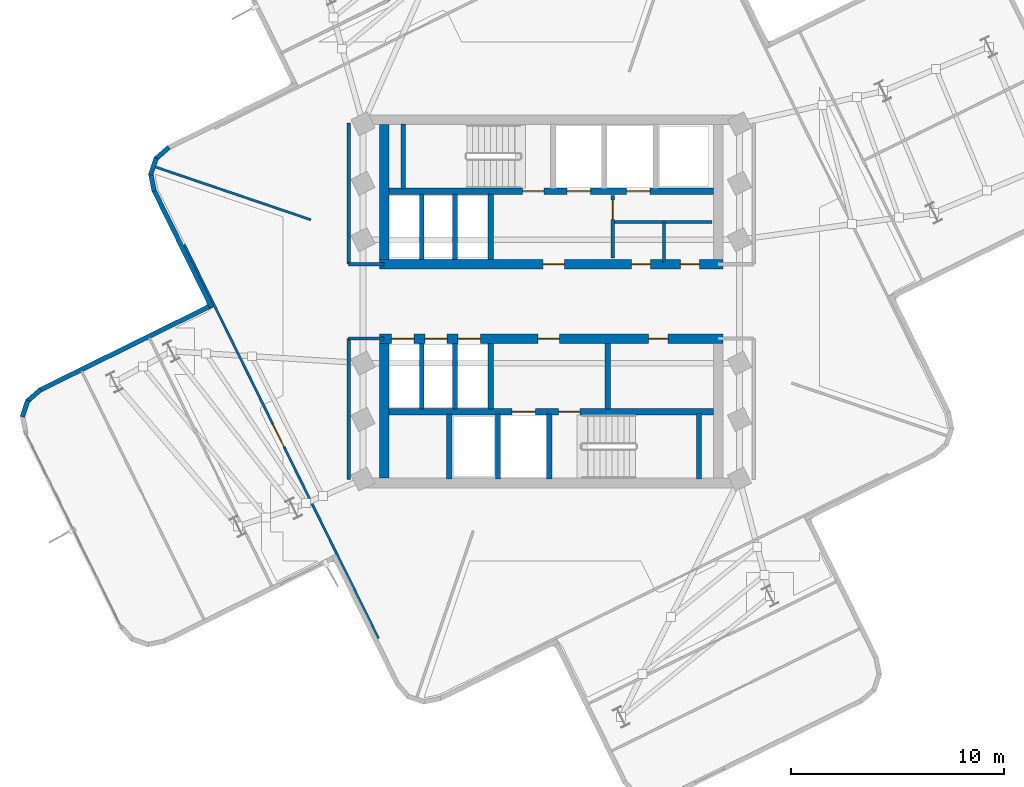
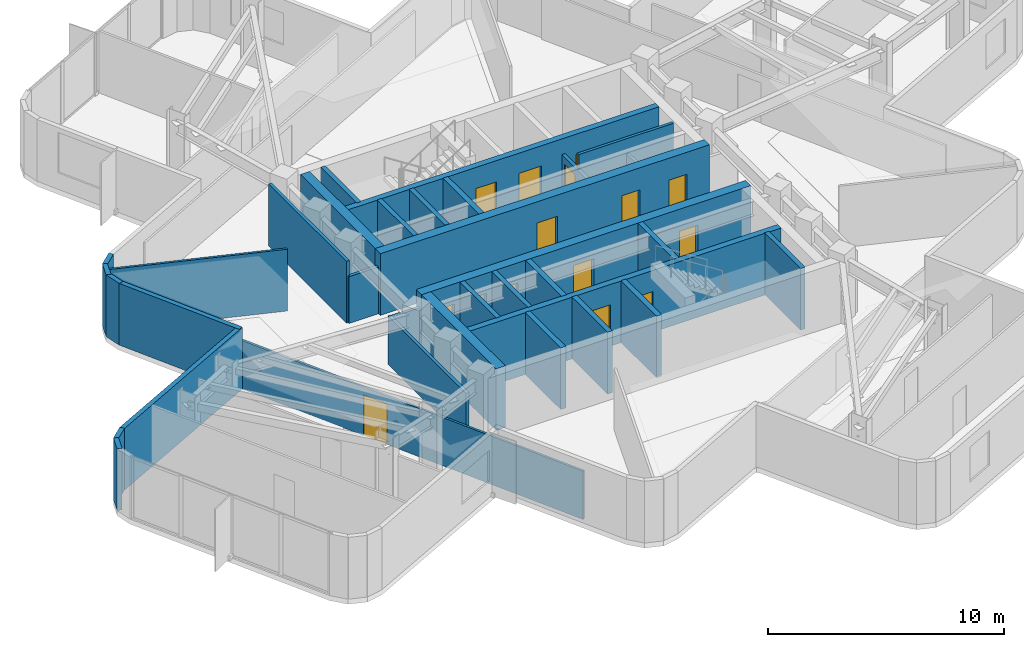
# One storey, part 6 of 11: 34 walls, 15 doors, 15 openings.
"""IFC4 building model written with IfcOpenShell, lengths in metres."""

from ifc_helpers import new_model, si_unit, direction, frame, frame_2d, origin, place, context, subcontext, project, spatial, rectangle, extrude, material, layer, layer_set, type_object, element, fill, save


model = new_model("IFC4")

# Units and contexts
model_context = context("Model", 3, precision=1e-05, world=origin(), true_north=direction((0.0, 1.0)))
body_context = subcontext(model_context, "Body", "Model", "MODEL_VIEW")
ifc_project = project(units=[si_unit("LENGTHUNIT", "METRE"), si_unit("AREAUNIT", "SQUARE_METRE"), si_unit("VOLUMEUNIT", "CUBIC_METRE"), si_unit("PLANEANGLEUNIT", "RADIAN"), si_unit("MASSUNIT", "GRAM", prefix="KILO")], contexts=[model_context])

# Site, building, storey
site_placement = place(None, origin())
site = spatial("IfcSite", under=ifc_project, at=site_placement, CompositionType="ELEMENT")
building_placement = place(site_placement, origin())
building = spatial("IfcBuilding", under=site, at=building_placement, Name="Solmarez Civic Tower", CompositionType="ELEMENT")
storey_placement = place(building_placement, frame((0.0, 0.0, 192.60009765625)))
storey = spatial("IfcBuildingStorey", under=building, at=storey_placement, Name="L51", CompositionType="ELEMENT", Elevation=192.60009765625)

# Wall, openings, doors
ifc_material_1 = material(Name="Concrete C50/60", Category="concrete")
ifc_layer_1 = layer(ifc_material_1, 0.449951171875)
ifc_layer_set_1 = layer_set([ifc_layer_1], Name="Concrete C50/60")
wall_type_1 = type_object("IfcWallType", Name="WALL-CORE-450", PredefinedType="SHEAR", material=ifc_layer_set_1)
wall_1_placement = place(storey_placement, frame((8.070068359375, 1.75, 0.0), z_axis=(0.0, 0.0, 1.0), x_axis=(-1.0, 0.0, 0.0)))
wall_1 = element("IfcWall", 1, at=wall_1_placement, inside=storey, type_object=wall_type_1, Name="L51 Split-Core Structural Wall NCW-S-L51", PredefinedType="SHEAR", context=body_context, shape_type="SweptSolid", body=[
    extrude(rectangle(XDim=16.14013671875, YDim=0.449951171875, at=frame_2d((8.070068359375, 0.0))), origin(), (0.0, 0.0, 1.0), 3.199951171875),
])
opening_1_placement = place(wall_1_placement, frame((7.449951171875, 0.0, 0.0)))
opening_1 = element("IfcOpeningElement", 2, at=opening_1_placement, cuts=wall_1, Name="Opening D-04", PredefinedType="OPENING", context=body_context, shape_type="SweptSolid", body=[
    extrude(rectangle(XDim=1.0, YDim=2.10009765625, at=frame_2d((0.5, 1.050048828125))), frame((0.0, 0.23486328125, 0.0), z_axis=(0.0, -1.0, 0.0), x_axis=(1.0, 0.0, 0.0)), (0.0, 0.0, 1.0), 0.469970703125),
])
opening_2_placement = place(wall_1_placement, frame((3.39990234375, 0.0, 0.0)))
opening_2 = element("IfcOpeningElement", 3, at=opening_2_placement, cuts=wall_1, Name="Opening D-09", PredefinedType="OPENING", context=body_context, shape_type="SweptSolid", body=[
    extrude(rectangle(XDim=0.89990234375, YDim=2.06005859375, at=frame_2d((0.449951171875, 1.030029296875))), frame((0.0, 0.23486328125, 0.0), z_axis=(0.0, -1.0, 0.0), x_axis=(1.0, 0.0, 0.0)), (0.0, 0.0, 1.0), 0.469970703125),
])
opening_3_placement = place(wall_1_placement, frame((1.10009765625, 0.0, 0.0)))
opening_3 = element("IfcOpeningElement", 4, at=opening_3_placement, cuts=wall_1, Name="Opening D-09", PredefinedType="OPENING", context=body_context, shape_type="SweptSolid", body=[
    extrude(rectangle(XDim=0.89990234375, YDim=2.06005859375, at=frame_2d((0.449951171875, 1.030029296875))), frame((0.0, 0.23486328125, 0.0), z_axis=(0.0, -1.0, 0.0), x_axis=(1.0, 0.0, 0.0)), (0.0, 0.0, 1.0), 0.469970703125),
])
ifc_material_2 = material(Name="Steel-Faced Acoustic Fire Door", Category="steel")
door_type_1 = type_object("IfcDoorType", Name="DOOR-FD60-1000", OperationType="NOTDEFINED", PredefinedType="DOOR", material=ifc_material_2)
door_1_placement = place(opening_1_placement, origin())
door_1 = element("IfcDoor", 5, at=door_1_placement, inside=storey, type_object=door_type_1, Name="L51 North Firefighting Lobby Door", OperationType="SINGLE_SWING_RIGHT", OverallHeight=2.10009765625, OverallWidth=1.0, PredefinedType="DOOR", context=body_context, shape_type="SweptSolid", body=[
    extrude(rectangle(XDim=1.0, YDim=2.10009765625, at=frame_2d((0.5, 1.050048828125))), frame((0.0, 0.02490234375, 0.0), z_axis=(0.0, -1.0, 0.0), x_axis=(1.0, 0.0, 0.0)), (0.0, 0.0, 1.0), 0.050048828125),
])
fill(opening_1, door_1)
ifc_material_3 = material(Name="Fire-Rated Service Core Door", Category="wood")
door_type_2 = type_object("IfcDoorType", Name="DOOR-FD60-900", OperationType="NOTDEFINED", PredefinedType="DOOR", material=ifc_material_3)
door_2_placement = place(opening_2_placement, origin())
door_2 = element("IfcDoor", 6, at=door_2_placement, inside=storey, type_object=door_type_2, Name="L51 Core WC Door", OperationType="SINGLE_SWING_LEFT", OverallHeight=2.06005859375, OverallWidth=0.89990234375, PredefinedType="DOOR", context=body_context, shape_type="SweptSolid", body=[
    extrude(rectangle(XDim=0.89990234375, YDim=2.06005859375, at=frame_2d((0.449951171875, 1.030029296875))), frame((0.0, 0.02490234375, 0.0), z_axis=(0.0, -1.0, 0.0), x_axis=(1.0, 0.0, 0.0)), (0.0, 0.0, 1.0), 0.050048828125),
])
fill(opening_2, door_2)
door_3_placement = place(opening_3_placement, origin())
door_3 = element("IfcDoor", 7, at=door_3_placement, inside=storey, type_object=door_type_2, Name="L51 Core CL Door", OperationType="SINGLE_SWING_RIGHT", OverallHeight=2.06005859375, OverallWidth=0.89990234375, PredefinedType="DOOR", context=body_context, shape_type="SweptSolid", body=[
    extrude(rectangle(XDim=0.89990234375, YDim=2.06005859375, at=frame_2d((0.449951171875, 1.030029296875))), frame((0.0, 0.02490234375, 0.0), z_axis=(0.0, -1.0, 0.0), x_axis=(1.0, 0.0, 0.0)), (0.0, 0.0, 1.0), 0.050048828125),
])
fill(opening_3, door_3)

# Wall
wall_2_placement = place(storey_placement, frame((-7.844970703125, 1.97509765625, 0.0), z_axis=(0.0, 0.0, 1.0), x_axis=(0.0, 1.0, 0.0)))
element("IfcWall", 8, at=wall_2_placement, inside=storey, type_object=wall_type_1, Name="L51 Split-Core Structural Wall NCW-W-L51", PredefinedType="SHEAR", context=body_context, shape_type="SweptSolid", body=[
    extrude(rectangle(XDim=6.3349609375, YDim=0.449951171875, at=frame_2d((3.16748046875, 0.0))), origin(), (0.0, 0.0, 1.0), 3.199951171875),
])

# Wall, openings, doors
wall_3_placement = place(storey_placement, frame((-8.070068359375, -1.75, 0.0), z_axis=(0.0, 0.0, 1.0), x_axis=(1.0, 0.0, 0.0)))
wall_3 = element("IfcWall", 9, at=wall_3_placement, inside=storey, type_object=wall_type_1, Name="L51 Split-Core Structural Wall SCW-N-L51", PredefinedType="SHEAR", context=body_context, shape_type="SweptSolid", body=[
    extrude(rectangle(XDim=16.14013671875, YDim=0.449951171875, at=frame_2d((8.070068359375, 0.0))), origin(), (0.0, 0.0, 1.0), 3.199951171875),
])
opening_4_placement = place(wall_3_placement, frame((7.449951171875, 0.0, 0.0)))
opening_4 = element("IfcOpeningElement", 10, at=opening_4_placement, cuts=wall_3, Name="Opening D-04", PredefinedType="OPENING", context=body_context, shape_type="SweptSolid", body=[
    extrude(rectangle(XDim=1.0, YDim=2.10009765625, at=frame_2d((0.5, 1.050048828125))), frame((0.0, 0.23486328125, 0.0), z_axis=(0.0, -1.0, 0.0), x_axis=(1.0, 0.0, 0.0)), (0.0, 0.0, 1.0), 0.469970703125),
])
opening_5_placement = place(wall_3_placement, frame((12.64990234375, 0.0, 0.0)))
opening_5 = element("IfcOpeningElement", 11, at=opening_5_placement, cuts=wall_3, Name="Opening D-09", PredefinedType="OPENING", context=body_context, shape_type="SweptSolid", body=[
    extrude(rectangle(XDim=0.89990234375, YDim=2.06005859375, at=frame_2d((0.449951171875, 1.030029296875))), frame((0.0, 0.23486328125, 0.0), z_axis=(0.0, -1.0, 0.0), x_axis=(1.0, 0.0, 0.0)), (0.0, 0.0, 1.0), 0.469970703125),
])
opening_6_placement = place(wall_3_placement, frame((0.56494140625, 0.0, 0.0)))
opening_6 = element("IfcOpeningElement", 12, at=opening_6_placement, cuts=wall_3, Name="Opening LD-01", PredefinedType="OPENING", context=body_context, shape_type="SweptSolid", body=[
    extrude(rectangle(XDim=1.050048828125, YDim=2.14990234375, at=frame_2d((0.52490234375, 1.074951171875))), frame((0.0, 0.23486328125, 0.0), z_axis=(0.0, -1.0, 0.0), x_axis=(1.0, 0.0, 0.0)), (0.0, 0.0, 1.0), 0.469970703125),
])
opening_7_placement = place(wall_3_placement, frame((2.125, 0.0, 0.0)))
opening_7 = element("IfcOpeningElement", 13, at=opening_7_placement, cuts=wall_3, Name="Opening LD-01", PredefinedType="OPENING", context=body_context, shape_type="SweptSolid", body=[
    extrude(rectangle(XDim=1.050048828125, YDim=2.14990234375, at=frame_2d((0.52490234375, 1.074951171875))), frame((0.0, 0.23486328125, 0.0), z_axis=(0.0, -1.0, 0.0), x_axis=(1.0, 0.0, 0.0)), (0.0, 0.0, 1.0), 0.469970703125),
])
opening_8_placement = place(wall_3_placement, frame((3.68505859375, 0.0, 0.0)))
opening_8 = element("IfcOpeningElement", 14, at=opening_8_placement, cuts=wall_3, Name="Opening LD-01", PredefinedType="OPENING", context=body_context, shape_type="SweptSolid", body=[
    extrude(rectangle(XDim=1.050048828125, YDim=2.14990234375, at=frame_2d((0.52490234375, 1.074951171875))), frame((0.0, 0.23486328125, 0.0), z_axis=(0.0, -1.0, 0.0), x_axis=(1.0, 0.0, 0.0)), (0.0, 0.0, 1.0), 0.469970703125),
])
door_4_placement = place(opening_4_placement, origin())
door_4 = element("IfcDoor", 15, at=door_4_placement, inside=storey, type_object=door_type_1, Name="L51 South Firefighting Lobby Door", OperationType="SINGLE_SWING_LEFT", OverallHeight=2.10009765625, OverallWidth=1.0, PredefinedType="DOOR", context=body_context, shape_type="SweptSolid", body=[
    extrude(rectangle(XDim=1.0, YDim=2.10009765625, at=frame_2d((0.5, 1.050048828125))), frame((0.0, 0.02490234375, 0.0), z_axis=(0.0, -1.0, 0.0), x_axis=(1.0, 0.0, 0.0)), (0.0, 0.0, 1.0), 0.050048828125),
])
fill(opening_4, door_4)
door_5_placement = place(opening_5_placement, origin())
door_5 = element("IfcDoor", 16, at=door_5_placement, inside=storey, type_object=door_type_2, Name="L51 Freed Hoistway Mailroom Door", OperationType="SINGLE_SWING_LEFT", OverallHeight=2.06005859375, OverallWidth=0.89990234375, PredefinedType="DOOR", context=body_context, shape_type="SweptSolid", body=[
    extrude(rectangle(XDim=0.89990234375, YDim=2.06005859375, at=frame_2d((0.449951171875, 1.030029296875))), frame((0.0, 0.02490234375, 0.0), z_axis=(0.0, -1.0, 0.0), x_axis=(1.0, 0.0, 0.0)), (0.0, 0.0, 1.0), 0.050048828125),
])
fill(opening_5, door_5)
ifc_material_4 = material(Name="Bronze Passenger Lift Landing Sliding Door", Category="aluminium")
door_type_3 = type_object("IfcDoorType", Name="DOOR-LD-PAX-1050", OperationType="DOUBLE_DOOR_SLIDING", PredefinedType="DOOR", material=ifc_material_4)
door_6_placement = place(opening_6_placement, origin())
door_6 = element("IfcDoor", 17, at=door_6_placement, inside=storey, type_object=door_type_3, Name="L51 Mid-Rise Lift Landing Door PL-M1", OperationType="DOUBLE_DOOR_SLIDING", OverallHeight=2.14990234375, OverallWidth=1.050048828125, PredefinedType="DOOR", context=body_context, shape_type="SweptSolid", body=[
    extrude(rectangle(XDim=1.050048828125, YDim=2.14990234375, at=frame_2d((0.52490234375, 1.074951171875))), frame((0.0, 0.02490234375, 0.0), z_axis=(0.0, -1.0, 0.0), x_axis=(1.0, 0.0, 0.0)), (0.0, 0.0, 1.0), 0.050048828125),
])
fill(opening_6, door_6)
door_7_placement = place(opening_7_placement, origin())
door_7 = element("IfcDoor", 18, at=door_7_placement, inside=storey, type_object=door_type_3, Name="L51 Mid-Rise Lift Landing Door PL-M2", OperationType="DOUBLE_DOOR_SLIDING", OverallHeight=2.14990234375, OverallWidth=1.050048828125, PredefinedType="DOOR", context=body_context, shape_type="SweptSolid", body=[
    extrude(rectangle(XDim=1.050048828125, YDim=2.14990234375, at=frame_2d((0.52490234375, 1.074951171875))), frame((0.0, 0.02490234375, 0.0), z_axis=(0.0, -1.0, 0.0), x_axis=(1.0, 0.0, 0.0)), (0.0, 0.0, 1.0), 0.050048828125),
])
fill(opening_7, door_7)
door_8_placement = place(opening_8_placement, origin())
door_8 = element("IfcDoor", 19, at=door_8_placement, inside=storey, type_object=door_type_3, Name="L51 Mid-Rise Lift Landing Door PL-M3", OperationType="DOUBLE_DOOR_SLIDING", OverallHeight=2.14990234375, OverallWidth=1.050048828125, PredefinedType="DOOR", context=body_context, shape_type="SweptSolid", body=[
    extrude(rectangle(XDim=1.050048828125, YDim=2.14990234375, at=frame_2d((0.52490234375, 1.074951171875))), frame((0.0, 0.02490234375, 0.0), z_axis=(0.0, -1.0, 0.0), x_axis=(1.0, 0.0, 0.0)), (0.0, 0.0, 1.0), 0.050048828125),
])
fill(opening_8, door_8)

# Walls
wall_4_placement = place(storey_placement, frame((-7.844970703125, -8.31005859375, 0.0), z_axis=(0.0, 0.0, 1.0), x_axis=(0.0, 1.0, 0.0)))
element("IfcWall", 20, at=wall_4_placement, inside=storey, type_object=wall_type_1, Name="L51 Split-Core Structural Wall SCW-W-L51", PredefinedType="SHEAR", context=body_context, shape_type="SweptSolid", body=[
    extrude(rectangle(XDim=6.3349609375, YDim=0.449951171875, at=frame_2d((3.16748046875, 0.0))), origin(), (0.0, 0.0, 1.0), 3.199951171875),
])
ifc_material_5 = material(Name="Precast concrete C40/50", Category="concrete")
ifc_layer_2 = layer(ifc_material_5, 0.219970703125)
ifc_layer_set_2 = layer_set([ifc_layer_2], Name="Precast concrete C40/50")
wall_type_2 = type_object("IfcWallType", Name="WALL-EXT-220", PredefinedType="SOLIDWALL", material=ifc_layer_set_2)
wall_5_placement = place(storey_placement, frame((-24.866943359375, -5.428955078125, 0.0), z_axis=(0.0, 0.0, 1.0), x_axis=(0.320962261507, 0.94709198428, 0.0)))
element("IfcWall", 21, at=wall_5_placement, inside=storey, type_object=wall_type_2, Name="L51 Exterior Precast Wall 8", PredefinedType="SOLIDWALL", context=body_context, shape_type="SweptSolid", body=[
    extrude(rectangle(XDim=0.8193359375, YDim=0.219970703125, at=frame_2d((0.40966796875, 0.0))), origin(), (0.0, 0.0, 1.0), 3.199951171875),
])
wall_6_placement = place(storey_placement, frame((-24.631103515625, -4.693115234375, 0.0), z_axis=(0.0, 0.0, 1.0), x_axis=(0.75292100738, 0.65811089996, 0.0)))
element("IfcWall", 22, at=wall_6_placement, inside=storey, type_object=wall_type_2, Name="L51 Exterior Precast Wall 9", PredefinedType="SOLIDWALL", context=body_context, shape_type="SweptSolid", body=[
    extrude(rectangle(XDim=0.834228515625, YDim=0.219970703125, at=frame_2d((0.4169921875, 0.0))), origin(), (0.0, 0.0, 1.0), 3.199951171875),
])
wall_7_placement = place(storey_placement, frame((-24.0439453125, -4.1708984375, 0.0), z_axis=(0.0, 0.0, 1.0), x_axis=(0.896935893297, 0.442160608055, 0.0)))
element("IfcWall", 23, at=wall_7_placement, inside=storey, type_object=wall_type_2, Name="L51 Exterior Precast Wall 10", PredefinedType="SOLIDWALL", context=body_context, shape_type="SweptSolid", body=[
    extrude(rectangle(XDim=9.0576171875, YDim=0.219970703125, at=frame_2d((4.52880859375, 0.0))), origin(), (0.0, 0.0, 1.0), 3.199951171875),
])
wall_8_placement = place(storey_placement, frame((-15.9599609375, -0.283935546875, 0.0), z_axis=(0.0, 0.0, 1.0), x_axis=(-0.442004580174, 0.897012793167, 0.0)))
element("IfcWall", 24, at=wall_8_placement, inside=storey, type_object=wall_type_2, Name="L51 Exterior Precast Wall 13", PredefinedType="SOLIDWALL", context=body_context, shape_type="SweptSolid", body=[
    extrude(rectangle(XDim=6.158203125, YDim=0.219970703125, at=frame_2d((3.0791015625, 0.0))), origin(), (0.0, 0.0, 1.0), 3.199951171875),
])
wall_9_placement = place(storey_placement, frame((-18.666015625, 5.193115234375, 0.0), z_axis=(0.0, 0.0, 1.0), x_axis=(-0.19532881852, 0.980737810353, 0.0)))
element("IfcWall", 25, at=wall_9_placement, inside=storey, type_object=wall_type_2, Name="L51 Exterior Precast Wall 14", PredefinedType="SOLIDWALL", context=body_context, shape_type="SweptSolid", body=[
    extrude(rectangle(XDim=0.8349609375, YDim=0.219970703125, at=frame_2d((0.41748046875, 0.0))), origin(), (0.0, 0.0, 1.0), 3.199951171875),
])
wall_10_placement = place(storey_placement, frame((-18.83203125, 5.962890625, 0.0), z_axis=(0.0, 0.0, 1.0), x_axis=(0.320509908962, 0.947245162699, 0.0)))
element("IfcWall", 26, at=wall_10_placement, inside=storey, type_object=wall_type_2, Name="L51 Exterior Precast Wall 15", PredefinedType="SOLIDWALL", context=body_context, shape_type="SweptSolid", body=[
    extrude(rectangle(XDim=0.8203125, YDim=0.219970703125, at=frame_2d((0.41015625, 0.0))), origin(), (0.0, 0.0, 1.0), 3.199951171875),
])
wall_11_placement = place(storey_placement, frame((-18.595947265625, 6.699951171875, 0.0), z_axis=(0.0, 0.0, 1.0), x_axis=(0.752794227209, 0.658255916404, 0.0)))
element("IfcWall", 27, at=wall_11_placement, inside=storey, type_object=wall_type_2, Name="L51 Exterior Precast Wall 16", PredefinedType="SOLIDWALL", context=body_context, shape_type="SweptSolid", body=[
    extrude(rectangle(XDim=0.834228515625, YDim=0.219970703125, at=frame_2d((0.4169921875, 0.0))), origin(), (0.0, 0.0, 1.0), 3.199951171875),
])
ifc_material_6 = material(Name="Gypsum Board Acoustic Steel-Stud Partition", Category="steel")
ifc_layer_3 = layer(ifc_material_6, 0.14990234375)
ifc_layer_set_3 = layer_set([ifc_layer_3], Name="Gypsum Board Acoustic Steel-Stud Partition")
wall_type_3 = type_object("IfcWallType", Name="WALL-INT-FIRE-150", PredefinedType="PARTITIONING", material=ifc_layer_set_3)
wall_12_placement = place(storey_placement, frame((-9.52001953125, 1.75, 0.0), z_axis=(0.0, 0.0, 1.0), x_axis=(0.0, 1.0, 0.0)))
element("IfcWall", 28, at=wall_12_placement, inside=storey, type_object=wall_type_3, Name="L51 Interior Partition CHW-L51-WN1", PredefinedType="PARTITIONING", context=body_context, shape_type="SweptSolid", body=[
    extrude(rectangle(XDim=6.6298828125, YDim=0.14990234375, at=frame_2d((3.31494140625, 0.0))), origin(), (0.0, 0.0, 1.0), 3.199951171875),
])
wall_13_placement = place(storey_placement, frame((-7.85009765625, 1.75, 0.0), z_axis=(0.0, 0.0, 1.0), x_axis=(-1.0, 0.0, 0.0)))
element("IfcWall", 29, at=wall_13_placement, inside=storey, type_object=wall_type_3, Name="L51 Interior Partition CHW-L51-WN3", PredefinedType="PARTITIONING", context=body_context, shape_type="SweptSolid", body=[
    extrude(rectangle(XDim=1.669921875, YDim=0.14990234375, at=frame_2d((0.8349609375, 0.0))), origin(), (0.0, 0.0, 1.0), 2.429931640625),
])
wall_14_placement = place(storey_placement, frame((-9.52001953125, -8.3798828125, 0.0), z_axis=(0.0, 0.0, 1.0), x_axis=(0.0, 1.0, 0.0)))
element("IfcWall", 30, at=wall_14_placement, inside=storey, type_object=wall_type_3, Name="L51 Interior Partition CHW-L51-WS1", PredefinedType="PARTITIONING", context=body_context, shape_type="SweptSolid", body=[
    extrude(rectangle(XDim=6.6298828125, YDim=0.14990234375, at=frame_2d((3.31494140625, 0.0))), origin(), (0.0, 0.0, 1.0), 2.50390625),
])
wall_15_placement = place(storey_placement, frame((-7.85009765625, -1.75, 0.0), z_axis=(0.0, 0.0, 1.0), x_axis=(-1.0, 0.0, 0.0)))
element("IfcWall", 31, at=wall_15_placement, inside=storey, type_object=wall_type_3, Name="L51 Interior Partition CHW-L51-WS3", PredefinedType="PARTITIONING", context=body_context, shape_type="SweptSolid", body=[
    extrude(rectangle(XDim=1.669921875, YDim=0.14990234375, at=frame_2d((0.8349609375, 0.0))), origin(), (0.0, 0.0, 1.0), 2.429931640625),
])
ifc_layer_4 = layer(ifc_material_6, 0.110107421875)
ifc_layer_set_4 = layer_set([ifc_layer_4], Name="Gypsum Board Acoustic Steel-Stud Partition")
wall_type_4 = type_object("IfcWallType", Name="WALL-INT-PART-110", PredefinedType="PARTITIONING", material=ifc_layer_set_4)
wall_16_placement = place(storey_placement, frame((-11.300048828125, 3.837890625, 0.0), z_axis=(0.0, 0.0, 1.0), x_axis=(-0.946882857271, 0.321578691158, 0.0)))
element("IfcWall", 32, at=wall_16_placement, inside=storey, type_object=wall_type_4, Name="L51 Interior Partition PT-L51-QDIV-2", PredefinedType="PARTITIONING", context=body_context, shape_type="SweptSolid", body=[
    extrude(rectangle(XDim=7.739990234375, YDim=0.110107421875, at=frame_2d((3.8701171875, 0.0))), origin(), (0.0, 0.0, 1.0), 3.199951171875),
])

# Wall, opening, door
wall_17_placement = place(storey_placement, frame((-8.1220703125, -15.843017578125, 0.0), z_axis=(0.0, 0.0, 1.0), x_axis=(-0.442129285211, 0.896951333774, 0.0)))
wall_17 = element("IfcWall", 33, at=wall_17_placement, inside=storey, type_object=wall_type_4, Name="L51 Interior Partition PT-L51-W-ENT", PredefinedType="PARTITIONING", context=body_context, shape_type="SweptSolid", body=[
    extrude(rectangle(XDim=20.638671875, YDim=0.110107421875, at=frame_2d((10.3193359375, 0.0))), origin(), (0.0, 0.0, 1.0), 2.50390625),
])
opening_9_placement = place(wall_17_placement, frame((10.02001953125, 0.0, 0.0)))
opening_9 = element("IfcOpeningElement", 34, at=opening_9_placement, cuts=wall_17, Name="Opening D-11", PredefinedType="OPENING", context=body_context, shape_type="SweptSolid", body=[
    extrude(rectangle(XDim=1.199951171875, YDim=2.10009765625, at=frame_2d((0.60009765625, 1.050048828125))), frame((0.0, 0.06494140625, 0.0), z_axis=(0.0, -1.0, 0.0), x_axis=(1.0, 0.0, 0.0)), (0.0, 0.0, 1.0), 0.130126953125),
])
ifc_material_7 = material(Name="Glazed-Vision Acoustic Chamber Door", Category="wood")
door_type_4 = type_object("IfcDoorType", Name="DOOR-INT-1200", OperationType="NOTDEFINED", PredefinedType="DOOR", material=ifc_material_7)
door_9_placement = place(opening_9_placement, origin())
door_9 = element("IfcDoor", 35, at=door_9_placement, inside=storey, type_object=door_type_4, Name="L51 Citizen Consultation Room First West Door", OperationType="SINGLE_SWING_LEFT", OverallHeight=2.10009765625, OverallWidth=1.199951171875, PredefinedType="DOOR", context=body_context, shape_type="SweptSolid", body=[
    extrude(rectangle(XDim=1.199951171875, YDim=2.10009765625, at=frame_2d((0.60009765625, 1.050048828125))), frame((0.0, 0.02490234375, 0.0), z_axis=(0.0, -1.0, 0.0), x_axis=(1.0, 0.0, 0.0)), (0.0, 0.0, 1.0), 0.050048828125),
])
fill(opening_9, door_9)

ifc_layer_5 = layer(ifc_material_6, 0.159912109375)
ifc_layer_set_5 = layer_set([ifc_layer_5], Name="Gypsum Board Acoustic Steel-Stud Partition")
wall_type_5 = type_object("IfcWallType", Name="WALL-INT-SHAFT-160", PredefinedType="PARTITIONING", material=ifc_layer_set_5)
wall_18_placement = place(storey_placement, frame((2.89990234375, 2.0400390625, 0.0), z_axis=(0.0, 0.0, 1.0), x_axis=(0.0, 1.0, 0.0)))
wall_18 = element("IfcWall", 36, at=wall_18_placement, inside=storey, type_object=wall_type_5, Name="L51 Interior Partition SHW-NL2-L51", PredefinedType="PARTITIONING", context=body_context, shape_type="SweptSolid", body=[
    extrude(rectangle(XDim=2.93994140625, YDim=0.159912109375, at=frame_2d((1.469970703125, 0.0))), origin(), (0.0, 0.0, 1.0), 2.429931640625),
])
opening_10_placement = place(wall_18_placement, frame((1.820068359375, 0.0, 0.0)))
opening_10 = element("IfcOpeningElement", 37, at=opening_10_placement, cuts=wall_18, Name="Opening D-09", PredefinedType="OPENING", context=body_context, shape_type="SweptSolid", body=[
    extrude(rectangle(XDim=0.89990234375, YDim=2.06005859375, at=frame_2d((0.449951171875, 1.030029296875))), frame((0.0, 0.08984375, 0.0), z_axis=(0.0, -1.0, 0.0), x_axis=(1.0, 0.0, 0.0)), (0.0, 0.0, 1.0), 0.179931640625),
])
door_10_placement = place(opening_10_placement, origin())
door_10 = element("IfcDoor", 38, at=door_10_placement, inside=storey, type_object=door_type_2, Name="L51 Service Lift Lobby Door", OperationType="SINGLE_SWING_LEFT", OverallHeight=2.06005859375, OverallWidth=0.89990234375, PredefinedType="DOOR", context=body_context, shape_type="SweptSolid", body=[
    extrude(rectangle(XDim=0.89990234375, YDim=2.06005859375, at=frame_2d((0.449951171875, 1.030029296875))), frame((0.0, 0.02490234375, 0.0), z_axis=(0.0, -1.0, 0.0), x_axis=(1.0, 0.0, 0.0)), (0.0, 0.0, 1.0), 0.050048828125),
])
fill(opening_10, door_10)

# Walls
ifc_layer_6 = layer(ifc_material_6, 0.137939453125)
ifc_layer_set_6 = layer_set([ifc_layer_6], Name="Gypsum Board Acoustic Steel-Stud Partition")
wall_type_6 = type_object("IfcWallType", Name="WALL-INT-WET-140", PredefinedType="PARTITIONING", material=ifc_layer_set_6)
wall_19_placement = place(storey_placement, frame((2.89990234375, 3.739990234375, 0.0), z_axis=(0.0, 0.0, 1.0), x_axis=(1.0, 0.0, 0.0)))
element("IfcWall", 39, at=wall_19_placement, inside=storey, type_object=wall_type_6, Name="L51 Interior Partition SHW-SVH-L51", PredefinedType="PARTITIONING", context=body_context, shape_type="SweptSolid", body=[
    extrude(rectangle(XDim=4.650146484375, YDim=0.137939453125, at=frame_2d((2.3251953125, 0.0))), origin(), (0.0, 0.0, 1.0), 3.199951171875),
])
wall_20_placement = place(storey_placement, frame((5.300048828125, 1.85009765625, 0.0), z_axis=(0.0, 0.0, 1.0), x_axis=(0.0, 1.0, 0.0)))
element("IfcWall", 40, at=wall_20_placement, inside=storey, type_object=wall_type_6, Name="L51 Interior Partition PT-NCSV-L51", PredefinedType="PARTITIONING", context=body_context, shape_type="SweptSolid", body=[
    extrude(rectangle(XDim=1.889892578125, YDim=0.137939453125, at=frame_2d((0.94482421875, 0.0))), origin(), (0.0, 0.0, 1.0), 2.429931640625),
])

# Wall, openings, doors
ifc_layer_7 = layer(ifc_material_1, 0.300048828125)
ifc_layer_set_7 = layer_set([ifc_layer_7], Name="Concrete C50/60")
wall_type_7 = type_object("IfcWallType", Name="WALL-STR-300", PredefinedType="SOLIDWALL", material=ifc_layer_set_7)
wall_21_placement = place(storey_placement, frame((7.6201171875, 5.179931640625, 0.0), z_axis=(0.0, 0.0, 1.0), x_axis=(-1.0, 0.0, 0.0)))
wall_21 = element("IfcWall", 41, at=wall_21_placement, inside=storey, type_object=wall_type_7, Name="L51 Split-Core Structural Wall NCW-M-L51", PredefinedType="SOLIDWALL", context=body_context, shape_type="SweptSolid", body=[
    extrude(rectangle(XDim=15.240234375, YDim=0.300048828125, at=frame_2d((7.6201171875, 0.0))), origin(), (0.0, 0.0, 1.0), 3.199951171875),
])
opening_11_placement = place(wall_21_placement, frame((5.77001953125, 0.0, 0.0)))
opening_11 = element("IfcOpeningElement", 42, at=opening_11_placement, cuts=wall_21, Name="Opening LD-02", PredefinedType="OPENING", context=body_context, shape_type="SweptSolid", body=[
    extrude(rectangle(XDim=1.10009765625, YDim=2.14990234375, at=frame_2d((0.550048828125, 1.074951171875))), frame((0.0, 0.159912109375, 0.0), z_axis=(0.0, -1.0, 0.0), x_axis=(1.0, 0.0, 0.0)), (0.0, 0.0, 1.0), 0.320068359375),
])
opening_12_placement = place(wall_21_placement, frame((2.969970703125, 0.0, 0.0)))
opening_12 = element("IfcOpeningElement", 43, at=opening_12_placement, cuts=wall_21, Name="Opening LD-03", PredefinedType="OPENING", context=body_context, shape_type="SweptSolid", body=[
    extrude(rectangle(XDim=1.10009765625, YDim=2.14990234375, at=frame_2d((0.550048828125, 1.074951171875))), frame((0.0, 0.159912109375, 0.0), z_axis=(0.0, -1.0, 0.0), x_axis=(1.0, 0.0, 0.0)), (0.0, 0.0, 1.0), 0.320068359375),
])
opening_13_placement = place(wall_21_placement, frame((7.969970703125, 0.0, 0.0)))
opening_13 = element("IfcOpeningElement", 44, at=opening_13_placement, cuts=wall_21, Name="Opening D-05", PredefinedType="OPENING", context=body_context, shape_type="SweptSolid", body=[
    extrude(rectangle(XDim=1.0, YDim=2.10009765625, at=frame_2d((0.5, 1.050048828125))), frame((0.0, 0.159912109375, 0.0), z_axis=(0.0, -1.0, 0.0), x_axis=(1.0, 0.0, 0.0)), (0.0, 0.0, 1.0), 0.320068359375),
])
ifc_material_8 = material(Name="Fire-Rated Stairwell Exit Door", Category="wood")
door_type_5 = type_object("IfcDoorType", Name="DOOR-FD90-1000", OperationType="NOTDEFINED", PredefinedType="DOOR", material=ifc_material_8)
door_11_placement = place(opening_13_placement, origin())
door_11 = element("IfcDoor", 45, at=door_11_placement, inside=storey, type_object=door_type_5, Name="L51 North Exit Stair Door ST-1", OperationType="SINGLE_SWING_RIGHT", OverallHeight=2.10009765625, OverallWidth=1.0, PredefinedType="DOOR", context=body_context, shape_type="SweptSolid", body=[
    extrude(rectangle(XDim=1.0, YDim=2.10009765625, at=frame_2d((0.5, 1.050048828125))), frame((0.0, 0.02490234375, 0.0), z_axis=(0.0, -1.0, 0.0), x_axis=(1.0, 0.0, 0.0)), (0.0, 0.0, 1.0), 0.050048828125),
])
fill(opening_13, door_11)
ifc_material_9 = material(Name="Stainless Firefighting Lift Landing Sliding Door", Category="aluminium")
door_type_6 = type_object("IfcDoorType", Name="DOOR-LD-FF-1100", OperationType="DOUBLE_DOOR_SLIDING", PredefinedType="DOOR", material=ifc_material_9)
door_12_placement = place(opening_11_placement, origin())
door_12 = element("IfcDoor", 46, at=door_12_placement, inside=storey, type_object=door_type_6, Name="L51 Firefighting Lift Landing Door FFL-1", OperationType="DOUBLE_DOOR_SLIDING", OverallHeight=2.14990234375, OverallWidth=1.10009765625, PredefinedType="DOOR", context=body_context, shape_type="SweptSolid", body=[
    extrude(rectangle(XDim=1.10009765625, YDim=2.14990234375, at=frame_2d((0.550048828125, 1.074951171875))), frame((0.0, 0.02490234375, 0.0), z_axis=(0.0, -1.0, 0.0), x_axis=(1.0, 0.0, 0.0)), (0.0, 0.0, 1.0), 0.050048828125),
])
fill(opening_11, door_12)
ifc_material_10 = material(Name="Stainless Stretcher Lift Landing Sliding Door", Category="aluminium")
door_type_7 = type_object("IfcDoorType", Name="DOOR-LD-SV-1100", OperationType="DOUBLE_DOOR_SLIDING", PredefinedType="DOOR", material=ifc_material_10)
door_13_placement = place(opening_12_placement, origin())
door_13 = element("IfcDoor", 47, at=door_13_placement, inside=storey, type_object=door_type_7, Name="L51 Service Stretcher Lift Landing Door SVL-1", OperationType="DOUBLE_DOOR_SLIDING", OverallHeight=2.14990234375, OverallWidth=1.10009765625, PredefinedType="DOOR", context=body_context, shape_type="SweptSolid", body=[
    extrude(rectangle(XDim=1.10009765625, YDim=2.14990234375, at=frame_2d((0.550048828125, 1.074951171875))), frame((0.0, 0.02490234375, 0.0), z_axis=(0.0, -1.0, 0.0), x_axis=(1.0, 0.0, 0.0)), (0.0, 0.0, 1.0), 0.050048828125),
])
fill(opening_12, door_13)

wall_22_placement = place(storey_placement, frame((-7.6201171875, -5.179931640625, 0.0), z_axis=(0.0, 0.0, 1.0), x_axis=(1.0, 0.0, 0.0)))
wall_22 = element("IfcWall", 48, at=wall_22_placement, inside=storey, type_object=wall_type_7, Name="L51 Split-Core Structural Wall SCW-M-L51", PredefinedType="SOLIDWALL", context=body_context, shape_type="SweptSolid", body=[
    extrude(rectangle(XDim=15.240234375, YDim=0.300048828125, at=frame_2d((7.6201171875, 0.0))), origin(), (0.0, 0.0, 1.0), 3.199951171875),
])
opening_14_placement = place(wall_22_placement, frame((5.77001953125, 0.0, 0.0)))
opening_14 = element("IfcOpeningElement", 49, at=opening_14_placement, cuts=wall_22, Name="Opening LD-02", PredefinedType="OPENING", context=body_context, shape_type="SweptSolid", body=[
    extrude(rectangle(XDim=1.10009765625, YDim=2.14990234375, at=frame_2d((0.550048828125, 1.074951171875))), frame((0.0, 0.159912109375, 0.0), z_axis=(0.0, -1.0, 0.0), x_axis=(1.0, 0.0, 0.0)), (0.0, 0.0, 1.0), 0.320068359375),
])
opening_15_placement = place(wall_22_placement, frame((7.969970703125, 0.0, 0.0)))
opening_15 = element("IfcOpeningElement", 50, at=opening_15_placement, cuts=wall_22, Name="Opening D-05", PredefinedType="OPENING", context=body_context, shape_type="SweptSolid", body=[
    extrude(rectangle(XDim=1.0, YDim=2.10009765625, at=frame_2d((0.5, 1.050048828125))), frame((0.0, 0.159912109375, 0.0), z_axis=(0.0, -1.0, 0.0), x_axis=(1.0, 0.0, 0.0)), (0.0, 0.0, 1.0), 0.320068359375),
])
door_14_placement = place(opening_15_placement, origin())
door_14 = element("IfcDoor", 51, at=door_14_placement, inside=storey, type_object=door_type_5, Name="L51 South Exit Stair Door ST-2", OperationType="SINGLE_SWING_LEFT", OverallHeight=2.10009765625, OverallWidth=1.0, PredefinedType="DOOR", context=body_context, shape_type="SweptSolid", body=[
    extrude(rectangle(XDim=1.0, YDim=2.10009765625, at=frame_2d((0.5, 1.050048828125))), frame((0.0, 0.02490234375, 0.0), z_axis=(0.0, -1.0, 0.0), x_axis=(1.0, 0.0, 0.0)), (0.0, 0.0, 1.0), 0.050048828125),
])
fill(opening_15, door_14)
door_15_placement = place(opening_14_placement, origin())
door_15 = element("IfcDoor", 52, at=door_15_placement, inside=storey, type_object=door_type_6, Name="L51 Firefighting Lift Landing Door FFL-2", OperationType="DOUBLE_DOOR_SLIDING", OverallHeight=2.14990234375, OverallWidth=1.10009765625, PredefinedType="DOOR", context=body_context, shape_type="SweptSolid", body=[
    extrude(rectangle(XDim=1.10009765625, YDim=2.14990234375, at=frame_2d((0.550048828125, 1.074951171875))), frame((0.0, 0.02490234375, 0.0), z_axis=(0.0, -1.0, 0.0), x_axis=(1.0, 0.0, 0.0)), (0.0, 0.0, 1.0), 0.050048828125),
])
fill(opening_14, door_15)

# Walls
for number, where, z_axis, x_axis, name in (
    (53, (-6.949951171875, 5.280029296875, 0.0), (0.0, 0.0, 1.0), (0.0, 1.0, 0.0), "L51 Split-Core Structural Wall SHW-NW-L51"),
    (54, (6.949951171875, -8.340087890625, 0.0), (0.0, 0.0, 1.0), (0.0, 1.0, 0.0), "L51 Split-Core Structural Wall SHW-SE-L51"),
):
    element("IfcWall", number, at=place(storey_placement, frame(where, z_axis=z_axis, x_axis=x_axis)), inside=storey, type_object=wall_type_7, Name=name, PredefinedType="SOLIDWALL", context=body_context, shape_type="SweptSolid", body=[
        extrude(rectangle(XDim=3.06005859375, YDim=0.219970703125, at=frame_2d((1.530029296875, 0.0))), origin(), (0.0, 0.0, 1.0), 3.199951171875),
    ])
wall_23_placement = place(storey_placement, frame((-2.85009765625, 1.97998046875, 0.0), z_axis=(0.0, 0.0, 1.0), x_axis=(0.0, 1.0, 0.0)))
element("IfcWall", 55, at=wall_23_placement, inside=storey, type_object=wall_type_7, Name="L51 Split-Core Structural Wall SHW-NL1-L51", PredefinedType="SOLIDWALL", context=body_context, shape_type="SweptSolid", body=[
    extrude(rectangle(XDim=3.070068359375, YDim=0.25, at=frame_2d((1.53515625, 0.0))), origin(), (0.0, 0.0, 1.0), 3.199951171875),
])
for number, where, z_axis, x_axis, name in (
    (56, (-0.10009765625, -8.340087890625, 0.0), (0.0, 0.0, 1.0), (0.0, 1.0, 0.0), "L51 Split-Core Structural Wall SHW-S1-L51"),
    (57, (-2.5, -8.340087890625, 0.0), (0.0, 0.0, 1.0), (0.0, 1.0, 0.0), "L51 Split-Core Structural Wall SHW-S2-L51"),
    (58, (-4.800048828125, -8.340087890625, 0.0), (0.0, 0.0, 1.0), (0.0, 1.0, 0.0), "L51 Split-Core Structural Wall SHW-S3-L51"),
):
    element("IfcWall", number, at=place(storey_placement, frame(where, z_axis=z_axis, x_axis=x_axis)), inside=storey, type_object=wall_type_7, Name=name, PredefinedType="SOLIDWALL", context=body_context, shape_type="SweptSolid", body=[
        extrude(rectangle(XDim=3.0400390625, YDim=0.25, at=frame_2d((1.52001953125, 0.0))), origin(), (0.0, 0.0, 1.0), 3.199951171875),
    ])
for number, where, z_axis, x_axis, name in (
    (59, (-2.85009765625, -5.050048828125, 0.0), (0.0, 0.0, 1.0), (0.0, 1.0, 0.0), "L51 Split-Core Structural Wall SHW-SL1-L51"),
    (60, (2.64990234375, -5.050048828125, 0.0), (0.0, 0.0, 1.0), (0.0, 1.0, 0.0), "L51 Split-Core Structural Wall SHW-SL2-L51"),
):
    element("IfcWall", number, at=place(storey_placement, frame(where, z_axis=z_axis, x_axis=x_axis)), inside=storey, type_object=wall_type_7, Name=name, PredefinedType="SOLIDWALL", context=body_context, shape_type="SweptSolid", body=[
        extrude(rectangle(XDim=3.070068359375, YDim=0.25, at=frame_2d((1.53515625, 0.0))), origin(), (0.0, 0.0, 1.0), 3.199951171875),
    ])
for number, where, z_axis, x_axis, name in (
    (61, (-6.080078125, 1.97998046875, 0.0), (0.0, 0.0, 1.0), (0.0, 1.0, 0.0), "L51 Split-Core Structural Wall SHW-PLH-L51-1"),
    (62, (-4.52001953125, 1.97998046875, 0.0), (0.0, 0.0, 1.0), (0.0, 1.0, 0.0), "L51 Split-Core Structural Wall SHW-PLH-L51-2"),
    (63, (-6.080078125, -5.050048828125, 0.0), (0.0, 0.0, 1.0), (0.0, 1.0, 0.0), "L51 Split-Core Structural Wall SHW-PLM-L51-1"),
    (64, (-4.52001953125, -5.050048828125, 0.0), (0.0, 0.0, 1.0), (0.0, 1.0, 0.0), "L51 Split-Core Structural Wall SHW-PLM-L51-2"),
):
    element("IfcWall", number, at=place(storey_placement, frame(where, z_axis=z_axis, x_axis=x_axis)), inside=storey, type_object=wall_type_7, Name=name, PredefinedType="SOLIDWALL", context=body_context, shape_type="SweptSolid", body=[
        extrude(rectangle(XDim=3.070068359375, YDim=0.219970703125, at=frame_2d((1.53515625, 0.0))), origin(), (0.0, 0.0, 1.0), 3.199951171875),
    ])

save(model, "model.ifc")
